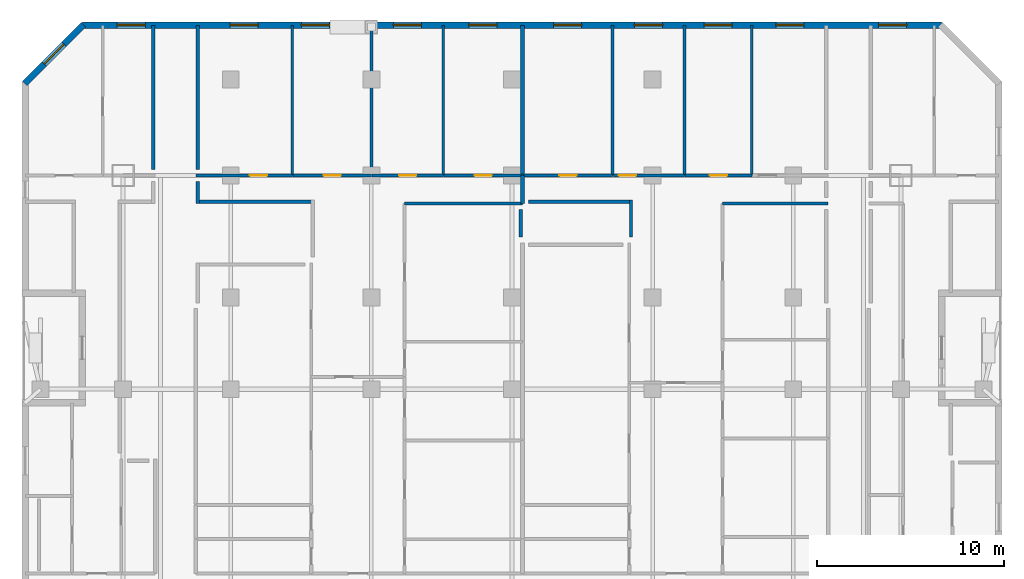
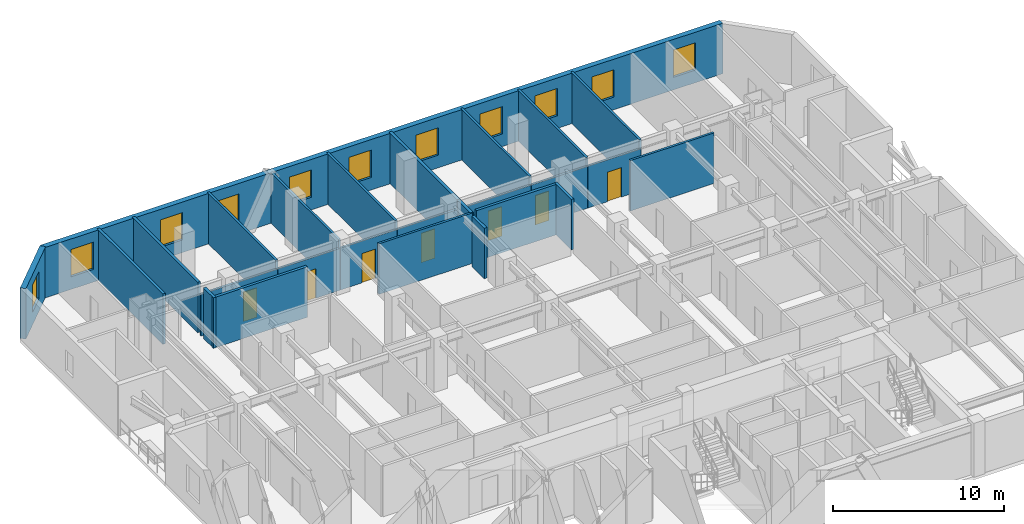
# One storey, part 7 of 10: 26 walls, 11 windows, 7 doors, 18 openings.
"""IFC4 building model written with IfcOpenShell, lengths in metres."""

from ifc_helpers import new_model, si_unit, direction, frame, frame_2d, origin, place, context, subcontext, project, spatial, rectangle, extrude, material, layer, layer_set, type_object, element, fill, save


model = new_model("IFC4")

# Units and contexts
model_context = context("Model", 3, precision=1e-05, world=origin(), true_north=direction((0.0, 1.0)))
body_context = subcontext(model_context, "Body", "Model", "MODEL_VIEW")
ifc_project = project(units=[si_unit("LENGTHUNIT", "METRE"), si_unit("AREAUNIT", "SQUARE_METRE"), si_unit("VOLUMEUNIT", "CUBIC_METRE"), si_unit("PLANEANGLEUNIT", "RADIAN"), si_unit("MASSUNIT", "GRAM", prefix="KILO")], contexts=[model_context])

# Site, building, storey
site_placement = place(None, origin())
site = spatial("IfcSite", under=ifc_project, at=site_placement, CompositionType="ELEMENT")
building_placement = place(site_placement, origin())
building = spatial("IfcBuilding", under=site, at=building_placement, Name="Ventersveld Concourse Tower", CompositionType="ELEMENT")
storey_placement = place(building_placement, frame((0.0, 0.0, 104.14990234375)))
storey = spatial("IfcBuildingStorey", under=building, at=storey_placement, Name="L25", CompositionType="ELEMENT", Elevation=104.14990234375)

# Walls
ifc_material_1 = material(Name="Fire-rated autoclaved aerated masonry blockwork", Category="masonry")
ifc_layer_1 = layer(ifc_material_1, 0.179931640625)
ifc_layer_set_1 = layer_set([ifc_layer_1], Name="Fire-rated autoclaved aerated masonry blockwork")
wall_type_1 = type_object("IfcWallType", Name="WL-CORR-180", PredefinedType="PARTITIONING", material=ifc_layer_set_1)
wall_1_placement = place(storey_placement, frame((9.6201171875, 42.989990234375, 0.0), z_axis=(0.0, 0.0, 1.0), x_axis=(0.0, -1.0, 0.0)))
element("IfcWall", 1, at=wall_1_placement, inside=storey, type_object=wall_type_1, Name="L25 Room Enclosure Wall SP-L25-25NW-BR2", PredefinedType="PARTITIONING", context=body_context, shape_type="SweptSolid", body=[
    extrude(rectangle(XDim=7.6650390625, YDim=0.179931640625, at=frame_2d((3.83251953125, 0.0))), origin(), (0.0, 0.0, 1.0), 3.60009765625),
])
wall_2_placement = place(storey_placement, frame((18.225341796875, 33.590087890625, 0.0), z_axis=(0.0, 0.0, 1.0), x_axis=(-1.0, 0.0, 0.0)))
element("IfcWall", 2, at=wall_2_placement, inside=storey, type_object=wall_type_1, Name="L25 Room Enclosure Wall SP-L25-25N1-LIV", PredefinedType="PARTITIONING", context=body_context, shape_type="SweptSolid", body=[
    extrude(rectangle(XDim=6.34033203125, YDim=0.179931640625, at=frame_2d((3.170166015625, 0.0))), origin(), (0.0, 0.0, 1.0), 3.60009765625),
])
wall_3_placement = place(storey_placement, frame((11.97998046875, 33.4951171875, 0.0), z_axis=(0.0, 0.0, 1.0), x_axis=(0.0, 1.0, 0.0)))
element("IfcWall", 3, at=wall_3_placement, inside=storey, type_object=wall_type_1, Name="L25 Room Enclosure Wall SP-L25-25N1-LIV", PredefinedType="PARTITIONING", context=body_context, shape_type="SweptSolid", body=[
    extrude(rectangle(XDim=1.179931640625, YDim=0.179931640625, at=frame_2d((0.58984375, 0.0))), origin(), (0.0, 0.0, 1.0), 3.60009765625),
])
wall_4_placement = place(storey_placement, frame((29.22412109375, 33.175048828125, 0.0), z_axis=(0.0, 0.0, 1.0), x_axis=(0.0, -1.0, 0.0)))
element("IfcWall", 4, at=wall_4_placement, inside=storey, type_object=wall_type_1, Name="L25 Room Enclosure Wall SP-L25-25N1-DENS2", PredefinedType="PARTITIONING", context=body_context, shape_type="SweptSolid", body=[
    extrude(rectangle(XDim=1.455810546875, YDim=0.179931640625, at=frame_2d((0.72802734375, 0.0))), origin(), (0.0, 0.0, 1.0), 3.60009765625),
])
wall_5_placement = place(storey_placement, frame((11.97998046875, 35.324951171875, 0.0), z_axis=(0.0, 0.0, 1.0), x_axis=(0.0, 1.0, 0.0)))
element("IfcWall", 5, at=wall_5_placement, inside=storey, type_object=wall_type_1, Name="L25 Room Enclosure Wall SP-L25-25N1-BR1", PredefinedType="PARTITIONING", context=body_context, shape_type="SweptSolid", body=[
    extrude(rectangle(XDim=7.6650390625, YDim=0.179931640625, at=frame_2d((3.83251953125, 0.0))), origin(), (0.0, 0.0, 1.0), 3.60009765625),
])
wall_6_placement = place(storey_placement, frame((35.190673828125, 33.590087890625, 0.0), z_axis=(0.0, 0.0, 1.0), x_axis=(-1.0, 0.0, 0.0)))
element("IfcWall", 6, at=wall_6_placement, inside=storey, type_object=wall_type_1, Name="L25 Room Enclosure Wall SP-L25-25N2-LIV", PredefinedType="PARTITIONING", context=body_context, shape_type="SweptSolid", body=[
    extrude(rectangle(XDim=5.551513671875, YDim=0.179931640625, at=frame_2d((2.77587890625, 0.0))), origin(), (0.0, 0.0, 1.0), 3.60009765625),
])
wall_7_placement = place(storey_placement, frame((35.095703125, 31.71923828125, 0.0), z_axis=(0.0, 0.0, 1.0), x_axis=(0.0, 1.0, 0.0)))
element("IfcWall", 7, at=wall_7_placement, inside=storey, type_object=wall_type_1, Name="L25 Room Enclosure Wall SP-L25-25N2-LIV", PredefinedType="PARTITIONING", context=body_context, shape_type="SweptSolid", body=[
    extrude(rectangle(XDim=1.9658203125, YDim=0.179931640625, at=frame_2d((0.98291015625, 0.0))), origin(), (0.0, 0.0, 1.0), 3.60009765625),
])
ifc_layer_2 = layer(ifc_material_1, 0.199951171875)
ifc_layer_set_2 = layer_set([ifc_layer_2], Name="Fire-rated autoclaved aerated masonry blockwork")
wall_type_2 = type_object("IfcWallType", Name="WL-DEMISE-200", PredefinedType="PARTITIONING", material=ifc_layer_set_2)
wall_8_placement = place(storey_placement, frame((29.314208984375, 33.4951171875, 0.0), z_axis=(0.0, 0.0, 1.0), x_axis=(0.0, 1.0, 0.0)))
element("IfcWall", 8, at=wall_8_placement, inside=storey, type_object=wall_type_2, Name="L25 Interior Partition SP-L25-25N1-LIV-SP-L25-25N2-LIV", PredefinedType="PARTITIONING", context=body_context, shape_type="SweptSolid", body=[
    extrude(rectangle(XDim=1.509765625, YDim=0.199951171875, at=frame_2d((0.7548828125, 0.0))), origin(), (0.0, 0.0, 1.0), 3.60009765625),
])
wall_9_placement = place(storey_placement, frame((29.314208984375, 35.034912109375, 0.0), z_axis=(0.0, 0.0, 1.0), x_axis=(0.0, 1.0, 0.0)))
element("IfcWall", 9, at=wall_9_placement, inside=storey, type_object=wall_type_2, Name="L25 Interior Partition SP-L25-25N1-BR4-SP-L25-25N2-BR1", PredefinedType="PARTITIONING", context=body_context, shape_type="SweptSolid", body=[
    extrude(rectangle(XDim=7.955078125, YDim=0.199951171875, at=frame_2d((3.9775390625, 0.0))), origin(), (0.0, 0.0, 1.0), 3.60009765625),
])
ifc_material_2 = material(Name="Autoclaved aerated masonry blockwork", Category="masonry")
ifc_layer_3 = layer(ifc_material_2, 0.14990234375)
ifc_layer_set_3 = layer_set([ifc_layer_3], Name="Autoclaved aerated masonry blockwork")
wall_type_3 = type_object("IfcWallType", Name="WL-INT-150", PredefinedType="PARTITIONING", material=ifc_layer_set_3)
wall_10_placement = place(storey_placement, frame((23.015380859375, 33.5, 0.0), z_axis=(0.0, 0.0, 1.0), x_axis=(1.0, 0.0, 0.0)))
element("IfcWall", 10, at=wall_10_placement, inside=storey, type_object=wall_type_3, Name="L25 Interior Partition SP-L25-25N1-LIV-SP-L25-25N1-DENS2", PredefinedType="PARTITIONING", context=body_context, shape_type="SweptSolid", body=[
    extrude(rectangle(XDim=6.3037109375, YDim=0.14990234375, at=frame_2d((3.15185546875, 0.0))), origin(), (0.0, 0.0, 1.0), 3.60009765625),
])

# Wall, opening, door
wall_11_placement = place(storey_placement, frame((11.885009765625, 35.0, 0.0), z_axis=(0.0, 0.0, 1.0), x_axis=(1.0, 0.0, 0.0)))
wall_11 = element("IfcWall", 11, at=wall_11_placement, inside=storey, type_object=wall_type_3, Name="L25 Interior Partition SP-L25-25N1-LIV-SP-L25-25N1-BR1", PredefinedType="PARTITIONING", context=body_context, shape_type="SweptSolid", body=[
    extrude(rectangle(XDim=5.14892578125, YDim=0.14990234375, at=frame_2d((2.574462890625, 0.0))), origin(), (0.0, 0.0, 1.0), 2.98291015625),
])
opening_1_placement = place(wall_11_placement, frame((2.88671875, 0.0, 0.0)))
opening_1 = element("IfcOpeningElement", 12, at=opening_1_placement, cuts=wall_11, Name="Opening ID1", PredefinedType="OPENING", context=body_context, shape_type="SweptSolid", body=[
    extrude(rectangle(XDim=0.919921875, YDim=2.10009765625, at=frame_2d((0.4599609375, 1.050048828125))), frame((0.0, 0.0849609375, 0.0), z_axis=(0.0, -1.0, 0.0), x_axis=(1.0, 0.0, 0.0)), (0.0, 0.0, 1.0), 0.169921875),
])
ifc_material_3 = material(Name="Solid-core hardwood veneer timber", Category="wood")
door_type = type_object("IfcDoorType", Name="DR-ROOM-092", OperationType="NOTDEFINED", PredefinedType="DOOR", material=ifc_material_3)
door_1_placement = place(opening_1_placement, origin())
door_1 = element("IfcDoor", 13, at=door_1_placement, inside=storey, type_object=door_type, Name="L25 Interior Door SP-L25-25N1-LIV to SP-L25-25N1-BR1 (D-L25-1246)", OperationType="SINGLE_SWING_RIGHT", OverallHeight=2.10009765625, OverallWidth=0.919921875, PredefinedType="DOOR", context=body_context, shape_type="SweptSolid", body=[
    extrude(rectangle(XDim=0.919921875, YDim=2.10009765625, at=frame_2d((0.4599609375, 1.050048828125))), frame((0.0, 0.02490234375, 0.0), z_axis=(0.0, -1.0, 0.0), x_axis=(1.0, 0.0, 0.0)), (0.0, 0.0, 1.0), 0.050048828125),
])
fill(opening_1, door_1)

wall_12_placement = place(storey_placement, frame((17.06396484375, 35.0, 0.0), z_axis=(0.0, 0.0, 1.0), x_axis=(1.0, 0.0, 0.0)))
wall_12 = element("IfcWall", 14, at=wall_12_placement, inside=storey, type_object=wall_type_3, Name="L25 Interior Partition SP-L25-25N1-LIV-SP-L25-25N1-BR2", PredefinedType="PARTITIONING", context=body_context, shape_type="SweptSolid", body=[
    extrude(rectangle(XDim=4.19091796875, YDim=0.14990234375, at=frame_2d((2.095458984375, 0.0))), origin(), (0.0, 0.0, 1.0), 2.98291015625),
])
opening_2_placement = place(wall_12_placement, frame((1.635498046875, 0.0, 0.0)))
opening_2 = element("IfcOpeningElement", 15, at=opening_2_placement, cuts=wall_12, Name="Opening ID1", PredefinedType="OPENING", context=body_context, shape_type="SweptSolid", body=[
    extrude(rectangle(XDim=0.919921875, YDim=2.10009765625, at=frame_2d((0.4599609375, 1.050048828125))), frame((0.0, 0.0849609375, 0.0), z_axis=(0.0, -1.0, 0.0), x_axis=(1.0, 0.0, 0.0)), (0.0, 0.0, 1.0), 0.169921875),
])
door_2_placement = place(opening_2_placement, origin())
door_2 = element("IfcDoor", 16, at=door_2_placement, inside=storey, type_object=door_type, Name="L25 Interior Door SP-L25-25N1-LIV to SP-L25-25N1-BR2 (D-L25-1247)", OperationType="SINGLE_SWING_LEFT", OverallHeight=2.10009765625, OverallWidth=0.919921875, PredefinedType="DOOR", context=body_context, shape_type="SweptSolid", body=[
    extrude(rectangle(XDim=0.919921875, YDim=2.10009765625, at=frame_2d((0.4599609375, 1.050048828125))), frame((0.0, 0.02490234375, 0.0), z_axis=(0.0, -1.0, 0.0), x_axis=(1.0, 0.0, 0.0)), (0.0, 0.0, 1.0), 0.050048828125),
])
fill(opening_2, door_2)

wall_13_placement = place(storey_placement, frame((21.284912109375, 35.0, 0.0), z_axis=(0.0, 0.0, 1.0), x_axis=(1.0, 0.0, 0.0)))
wall_13 = element("IfcWall", 17, at=wall_13_placement, inside=storey, type_object=wall_type_3, Name="L25 Interior Partition SP-L25-25N1-LIV-SP-L25-25N1-BR3", PredefinedType="PARTITIONING", context=body_context, shape_type="SweptSolid", body=[
    extrude(rectangle(XDim=3.80419921875, YDim=0.14990234375, at=frame_2d((1.902099609375, 0.0))), origin(), (0.0, 0.0, 1.0), 2.98291015625),
])
opening_3_placement = place(wall_13_placement, frame((1.44189453125, 0.0, 0.0)))
opening_3 = element("IfcOpeningElement", 18, at=opening_3_placement, cuts=wall_13, Name="Opening ID1", PredefinedType="OPENING", context=body_context, shape_type="SweptSolid", body=[
    extrude(rectangle(XDim=0.919921875, YDim=2.10009765625, at=frame_2d((0.4599609375, 1.050048828125))), frame((0.0, 0.0849609375, 0.0), z_axis=(0.0, -1.0, 0.0), x_axis=(1.0, 0.0, 0.0)), (0.0, 0.0, 1.0), 0.169921875),
])
door_3_placement = place(opening_3_placement, origin())
door_3 = element("IfcDoor", 19, at=door_3_placement, inside=storey, type_object=door_type, Name="L25 Interior Door SP-L25-25N1-LIV to SP-L25-25N1-BR3 (D-L25-1248)", OperationType="SINGLE_SWING_RIGHT", OverallHeight=2.10009765625, OverallWidth=0.919921875, PredefinedType="DOOR", context=body_context, shape_type="SweptSolid", body=[
    extrude(rectangle(XDim=0.919921875, YDim=2.10009765625, at=frame_2d((0.4599609375, 1.050048828125))), frame((0.0, 0.02490234375, 0.0), z_axis=(0.0, -1.0, 0.0), x_axis=(1.0, 0.0, 0.0)), (0.0, 0.0, 1.0), 0.050048828125),
])
fill(opening_3, door_3)

wall_14_placement = place(storey_placement, frame((25.118896484375, 35.0, 0.0), z_axis=(0.0, 0.0, 1.0), x_axis=(1.0, 0.0, 0.0)))
wall_14 = element("IfcWall", 20, at=wall_14_placement, inside=storey, type_object=wall_type_3, Name="L25 Interior Partition SP-L25-25N1-LIV-SP-L25-25N1-BR4", PredefinedType="PARTITIONING", context=body_context, shape_type="SweptSolid", body=[
    extrude(rectangle(XDim=4.2001953125, YDim=0.14990234375, at=frame_2d((2.10009765625, 0.0))), origin(), (0.0, 0.0, 1.0), 2.98291015625),
])
opening_4_placement = place(wall_14_placement, frame((1.639892578125, 0.0, 0.0)))
opening_4 = element("IfcOpeningElement", 21, at=opening_4_placement, cuts=wall_14, Name="Opening ID1", PredefinedType="OPENING", context=body_context, shape_type="SweptSolid", body=[
    extrude(rectangle(XDim=0.919921875, YDim=2.10009765625, at=frame_2d((0.4599609375, 1.050048828125))), frame((0.0, 0.0849609375, 0.0), z_axis=(0.0, -1.0, 0.0), x_axis=(1.0, 0.0, 0.0)), (0.0, 0.0, 1.0), 0.169921875),
])
door_4_placement = place(opening_4_placement, origin())
door_4 = element("IfcDoor", 22, at=door_4_placement, inside=storey, type_object=door_type, Name="L25 Interior Door SP-L25-25N1-LIV to SP-L25-25N1-BR4 (D-L25-1249)", OperationType="SINGLE_SWING_LEFT", OverallHeight=2.10009765625, OverallWidth=0.919921875, PredefinedType="DOOR", context=body_context, shape_type="SweptSolid", body=[
    extrude(rectangle(XDim=0.919921875, YDim=2.10009765625, at=frame_2d((0.4599609375, 1.050048828125))), frame((0.0, 0.02490234375, 0.0), z_axis=(0.0, -1.0, 0.0), x_axis=(1.0, 0.0, 0.0)), (0.0, 0.0, 1.0), 0.050048828125),
])
fill(opening_4, door_4)

# Walls
wall_15_placement = place(storey_placement, frame((17.029052734375, 34.9951171875, 0.0), z_axis=(0.0, 0.0, 1.0), x_axis=(0.0, 1.0, 0.0)))
element("IfcWall", 23, at=wall_15_placement, inside=storey, type_object=wall_type_3, Name="L25 Interior Partition SP-L25-25N1-BR1-SP-L25-25N1-BR2", PredefinedType="PARTITIONING", context=body_context, shape_type="SweptSolid", body=[
    extrude(rectangle(XDim=7.994873046875, YDim=0.14990234375, at=frame_2d((3.99755859375, 0.0))), origin(), (0.0, 0.0, 1.0), 3.60009765625),
])
wall_16_placement = place(storey_placement, frame((21.25, 34.9951171875, 0.0), z_axis=(0.0, 0.0, 1.0), x_axis=(0.0, 1.0, 0.0)))
element("IfcWall", 24, at=wall_16_placement, inside=storey, type_object=wall_type_3, Name="L25 Interior Partition SP-L25-25N1-BR2-SP-L25-25N1-BR3", PredefinedType="PARTITIONING", context=body_context, shape_type="SweptSolid", body=[
    extrude(rectangle(XDim=7.906982421875, YDim=0.14990234375, at=frame_2d((3.95361328125, 0.0))), origin(), (0.0, 0.0, 1.0), 3.60009765625),
])
wall_17_placement = place(storey_placement, frame((25.083984375, 34.9951171875, 0.0), z_axis=(0.0, 0.0, 1.0), x_axis=(0.0, 1.0, 0.0)))
element("IfcWall", 25, at=wall_17_placement, inside=storey, type_object=wall_type_3, Name="L25 Interior Partition SP-L25-25N1-BR3-SP-L25-25N1-BR4", PredefinedType="PARTITIONING", context=body_context, shape_type="SweptSolid", body=[
    extrude(rectangle(XDim=7.994873046875, YDim=0.14990234375, at=frame_2d((3.99755859375, 0.0))), origin(), (0.0, 0.0, 1.0), 3.60009765625),
])
wall_18_placement = place(storey_placement, frame((39.980712890625, 33.5, 0.0), z_axis=(0.0, 0.0, 1.0), x_axis=(1.0, 0.0, 0.0)))
element("IfcWall", 26, at=wall_18_placement, inside=storey, type_object=wall_type_3, Name="L25 Interior Partition SP-L25-25N2-LIV-SP-L25-25N2-DENS2", PredefinedType="PARTITIONING", context=body_context, shape_type="SweptSolid", body=[
    extrude(rectangle(XDim=5.63427734375, YDim=0.14990234375, at=frame_2d((2.817138671875, 0.0))), origin(), (0.0, 0.0, 1.0), 3.60009765625),
])

# Wall, opening, door
wall_19_placement = place(storey_placement, frame((29.34912109375, 35.0, 0.0), z_axis=(0.0, 0.0, 1.0), x_axis=(1.0, 0.0, 0.0)))
wall_19 = element("IfcWall", 27, at=wall_19_placement, inside=storey, type_object=wall_type_3, Name="L25 Interior Partition SP-L25-25N2-LIV-SP-L25-25N2-BR1", PredefinedType="PARTITIONING", context=body_context, shape_type="SweptSolid", body=[
    extrude(rectangle(XDim=4.774169921875, YDim=0.14990234375, at=frame_2d((2.38720703125, 0.0))), origin(), (0.0, 0.0, 1.0), 2.98291015625),
])
opening_5_placement = place(wall_19_placement, frame((1.927001953125, 0.0, 0.0)))
opening_5 = element("IfcOpeningElement", 28, at=opening_5_placement, cuts=wall_19, Name="Opening ID1", PredefinedType="OPENING", context=body_context, shape_type="SweptSolid", body=[
    extrude(rectangle(XDim=0.919921875, YDim=2.10009765625, at=frame_2d((0.4599609375, 1.050048828125))), frame((0.0, 0.0849609375, 0.0), z_axis=(0.0, -1.0, 0.0), x_axis=(1.0, 0.0, 0.0)), (0.0, 0.0, 1.0), 0.169921875),
])
door_5_placement = place(opening_5_placement, origin())
door_5 = element("IfcDoor", 29, at=door_5_placement, inside=storey, type_object=door_type, Name="L25 Interior Door SP-L25-25N2-LIV to SP-L25-25N2-BR1 (D-L25-1260)", OperationType="SINGLE_SWING_RIGHT", OverallHeight=2.10009765625, OverallWidth=0.919921875, PredefinedType="DOOR", context=body_context, shape_type="SweptSolid", body=[
    extrude(rectangle(XDim=0.919921875, YDim=2.10009765625, at=frame_2d((0.4599609375, 1.050048828125))), frame((0.0, 0.02490234375, 0.0), z_axis=(0.0, -1.0, 0.0), x_axis=(1.0, 0.0, 0.0)), (0.0, 0.0, 1.0), 0.050048828125),
])
fill(opening_5, door_5)

wall_20_placement = place(storey_placement, frame((34.1533203125, 35.0, 0.0), z_axis=(0.0, 0.0, 1.0), x_axis=(1.0, 0.0, 0.0)))
wall_20 = element("IfcWall", 30, at=wall_20_placement, inside=storey, type_object=wall_type_3, Name="L25 Interior Partition SP-L25-25N2-LIV-SP-L25-25N2-BR2", PredefinedType="PARTITIONING", context=body_context, shape_type="SweptSolid", body=[
    extrude(rectangle(XDim=3.800537109375, YDim=0.14990234375, at=frame_2d((1.900390625, 0.0))), origin(), (0.0, 0.0, 1.0), 2.98291015625),
])
opening_6_placement = place(wall_20_placement, frame((0.300048828125, 0.0, 0.0)))
opening_6 = element("IfcOpeningElement", 31, at=opening_6_placement, cuts=wall_20, Name="Opening ID1", PredefinedType="OPENING", context=body_context, shape_type="SweptSolid", body=[
    extrude(rectangle(XDim=0.919921875, YDim=2.10009765625, at=frame_2d((0.4599609375, 1.050048828125))), frame((0.0, 0.0849609375, 0.0), z_axis=(0.0, -1.0, 0.0), x_axis=(1.0, 0.0, 0.0)), (0.0, 0.0, 1.0), 0.169921875),
])
door_6_placement = place(opening_6_placement, origin())
door_6 = element("IfcDoor", 32, at=door_6_placement, inside=storey, type_object=door_type, Name="L25 Interior Door SP-L25-25N2-LIV to SP-L25-25N2-BR2 (D-L25-1261)", OperationType="SINGLE_SWING_LEFT", OverallHeight=2.10009765625, OverallWidth=0.919921875, PredefinedType="DOOR", context=body_context, shape_type="SweptSolid", body=[
    extrude(rectangle(XDim=0.919921875, YDim=2.10009765625, at=frame_2d((0.4599609375, 1.050048828125))), frame((0.0, 0.02490234375, 0.0), z_axis=(0.0, -1.0, 0.0), x_axis=(1.0, 0.0, 0.0)), (0.0, 0.0, 1.0), 0.050048828125),
])
fill(opening_6, door_6)

wall_21_placement = place(storey_placement, frame((37.98388671875, 35.0, 0.0), z_axis=(0.0, 0.0, 1.0), x_axis=(1.0, 0.0, 0.0)))
wall_21 = element("IfcWall", 33, at=wall_21_placement, inside=storey, type_object=wall_type_3, Name="L25 Interior Partition SP-L25-25N2-LIV-SP-L25-25N2-BR3", PredefinedType="PARTITIONING", context=body_context, shape_type="SweptSolid", body=[
    extrude(rectangle(XDim=3.55712890625, YDim=0.14990234375, at=frame_2d((1.778564453125, 0.0))), origin(), (0.0, 0.0, 1.0), 2.98291015625),
])
opening_7_placement = place(wall_21_placement, frame((1.318603515625, 0.0, 0.0)))
opening_7 = element("IfcOpeningElement", 34, at=opening_7_placement, cuts=wall_21, Name="Opening ID1", PredefinedType="OPENING", context=body_context, shape_type="SweptSolid", body=[
    extrude(rectangle(XDim=0.919921875, YDim=2.10009765625, at=frame_2d((0.4599609375, 1.050048828125))), frame((0.0, 0.0849609375, 0.0), z_axis=(0.0, -1.0, 0.0), x_axis=(1.0, 0.0, 0.0)), (0.0, 0.0, 1.0), 0.169921875),
])
door_7_placement = place(opening_7_placement, origin())
door_7 = element("IfcDoor", 35, at=door_7_placement, inside=storey, type_object=door_type, Name="L25 Interior Door SP-L25-25N2-LIV to SP-L25-25N2-BR3 (D-L25-1262)", OperationType="SINGLE_SWING_RIGHT", OverallHeight=2.10009765625, OverallWidth=0.919921875, PredefinedType="DOOR", context=body_context, shape_type="SweptSolid", body=[
    extrude(rectangle(XDim=0.919921875, YDim=2.10009765625, at=frame_2d((0.4599609375, 1.050048828125))), frame((0.0, 0.02490234375, 0.0), z_axis=(0.0, -1.0, 0.0), x_axis=(1.0, 0.0, 0.0)), (0.0, 0.0, 1.0), 0.050048828125),
])
fill(opening_7, door_7)

# Walls
for number, where, z_axis, x_axis, name in (
    (36, (34.1181640625, 34.9951171875, 0.0), (0.0, 0.0, 1.0), (0.0, 1.0, 0.0), "L25 Interior Partition SP-L25-25N2-BR1-SP-L25-25N2-BR2"),
    (37, (37.94873046875, 34.9951171875, 0.0), (0.0, 0.0, 1.0), (0.0, 1.0, 0.0), "L25 Interior Partition SP-L25-25N2-BR2-SP-L25-25N2-BR3"),
    (38, (41.535888671875, 34.9951171875, 0.0), (0.0, 0.0, 1.0), (0.0, 1.0, 0.0), "L25 Interior Partition SP-L25-25N2-BR3-SP-L25-25N2-BR4"),
):
    element("IfcWall", number, at=place(storey_placement, frame(where, z_axis=z_axis, x_axis=x_axis)), inside=storey, type_object=wall_type_3, Name=name, PredefinedType="PARTITIONING", context=body_context, shape_type="SweptSolid", body=[
        extrude(rectangle(XDim=7.994873046875, YDim=0.14990234375, at=frame_2d((3.99755859375, 0.0))), origin(), (0.0, 0.0, 1.0), 3.60009765625),
    ])

# Wall, openings, windows
ifc_material_4 = material(Name="Precast concrete C45/55", Category="concrete")
ifc_layer_4 = layer(ifc_material_4, 0.35009765625)
ifc_layer_set_4 = layer_set([ifc_layer_4], Name="Precast concrete C45/55")
wall_type_4 = type_object("IfcWallType", Name="WL-PREC-350", PredefinedType="SOLIDWALL", material=ifc_layer_set_4)
wall_22_placement = place(storey_placement, frame((51.659912109375, 43.02490234375, 0.0), z_axis=(0.0, 0.0, 1.0), x_axis=(-1.0, 0.0, 0.0)))
wall_22 = element("IfcWall", 39, at=wall_22_placement, inside=storey, type_object=wall_type_4, Name="L25 Highveld Precast Facade Wall E09", PredefinedType="SOLIDWALL", context=body_context, shape_type="SweptSolid", body=[
    extrude(rectangle(XDim=45.81982421875, YDim=0.35009765625, at=frame_2d((22.909912109375, 0.0))), origin(), (0.0, 0.0, 1.0), 3.60009765625),
])
opening_8_placement = place(wall_22_placement, frame((42.467529296875, 0.0, 0.89990234375)))
opening_8 = element("IfcOpeningElement", 40, at=opening_8_placement, cuts=wall_22, Name="Opening W1", PredefinedType="OPENING", context=body_context, shape_type="SweptSolid", body=[
    extrude(rectangle(XDim=1.5, YDim=1.949951171875, at=frame_2d((0.75, 0.97509765625))), frame((0.0, 0.18505859375, 0.0), z_axis=(0.0, -1.0, 0.0), x_axis=(1.0, 0.0, 0.0)), (0.0, 0.0, 1.0), 0.3701171875),
])
opening_9_placement = place(wall_22_placement, frame((1.8525390625, 0.0, 0.89990234375)))
opening_9 = element("IfcOpeningElement", 41, at=opening_9_placement, cuts=wall_22, Name="Opening W1", PredefinedType="OPENING", context=body_context, shape_type="SweptSolid", body=[
    extrude(rectangle(XDim=1.5, YDim=1.949951171875, at=frame_2d((0.75, 0.97509765625))), frame((0.0, 0.18505859375, 0.0), z_axis=(0.0, -1.0, 0.0), x_axis=(1.0, 0.0, 0.0)), (0.0, 0.0, 1.0), 0.3701171875),
])
opening_10_placement = place(wall_22_placement, frame((36.450439453125, 0.0, 0.89990234375)))
opening_10 = element("IfcOpeningElement", 42, at=opening_10_placement, cuts=wall_22, Name="Opening W1", PredefinedType="OPENING", context=body_context, shape_type="SweptSolid", body=[
    extrude(rectangle(XDim=1.5, YDim=1.949951171875, at=frame_2d((0.75, 0.97509765625))), frame((0.0, 0.18505859375, 0.0), z_axis=(0.0, -1.0, 0.0), x_axis=(1.0, 0.0, 0.0)), (0.0, 0.0, 1.0), 0.3701171875),
])
opening_11_placement = place(wall_22_placement, frame((32.63916015625, 0.0, 0.89990234375)))
opening_11 = element("IfcOpeningElement", 43, at=opening_11_placement, cuts=wall_22, Name="Opening W1", PredefinedType="OPENING", context=body_context, shape_type="SweptSolid", body=[
    extrude(rectangle(XDim=1.5, YDim=1.949951171875, at=frame_2d((0.75, 0.97509765625))), frame((0.0, 0.18505859375, 0.0), z_axis=(0.0, -1.0, 0.0), x_axis=(1.0, 0.0, 0.0)), (0.0, 0.0, 1.0), 0.3701171875),
])
opening_12_placement = place(wall_22_placement, frame((27.742919921875, 0.0, 0.89990234375)))
opening_12 = element("IfcOpeningElement", 44, at=opening_12_placement, cuts=wall_22, Name="Opening W1", PredefinedType="OPENING", context=body_context, shape_type="SweptSolid", body=[
    extrude(rectangle(XDim=1.5, YDim=1.949951171875, at=frame_2d((0.75, 0.97509765625))), frame((0.0, 0.18505859375, 0.0), z_axis=(0.0, -1.0, 0.0), x_axis=(1.0, 0.0, 0.0)), (0.0, 0.0, 1.0), 0.3701171875),
])
opening_13_placement = place(wall_22_placement, frame((23.7109375, 0.0, 0.89990234375)))
opening_13 = element("IfcOpeningElement", 45, at=opening_13_placement, cuts=wall_22, Name="Opening W1", PredefinedType="OPENING", context=body_context, shape_type="SweptSolid", body=[
    extrude(rectangle(XDim=1.5, YDim=1.949951171875, at=frame_2d((0.75, 0.97509765625))), frame((0.0, 0.18505859375, 0.0), z_axis=(0.0, -1.0, 0.0), x_axis=(1.0, 0.0, 0.0)), (0.0, 0.0, 1.0), 0.3701171875),
])
opening_14_placement = place(wall_22_placement, frame((19.19384765625, 0.0, 0.89990234375)))
opening_14 = element("IfcOpeningElement", 46, at=opening_14_placement, cuts=wall_22, Name="Opening W1", PredefinedType="OPENING", context=body_context, shape_type="SweptSolid", body=[
    extrude(rectangle(XDim=1.5, YDim=1.949951171875, at=frame_2d((0.75, 0.97509765625))), frame((0.0, 0.18505859375, 0.0), z_axis=(0.0, -1.0, 0.0), x_axis=(1.0, 0.0, 0.0)), (0.0, 0.0, 1.0), 0.3701171875),
])
opening_15_placement = place(wall_22_placement, frame((14.87646484375, 0.0, 0.89990234375)))
opening_15 = element("IfcOpeningElement", 47, at=opening_15_placement, cuts=wall_22, Name="Opening W1", PredefinedType="OPENING", context=body_context, shape_type="SweptSolid", body=[
    extrude(rectangle(XDim=1.5, YDim=1.949951171875, at=frame_2d((0.75, 0.97509765625))), frame((0.0, 0.18505859375, 0.0), z_axis=(0.0, -1.0, 0.0), x_axis=(1.0, 0.0, 0.0)), (0.0, 0.0, 1.0), 0.3701171875),
])
opening_16_placement = place(wall_22_placement, frame((11.16748046875, 0.0, 0.89990234375)))
opening_16 = element("IfcOpeningElement", 48, at=opening_16_placement, cuts=wall_22, Name="Opening W1", PredefinedType="OPENING", context=body_context, shape_type="SweptSolid", body=[
    extrude(rectangle(XDim=1.5, YDim=1.949951171875, at=frame_2d((0.75, 0.97509765625))), frame((0.0, 0.18505859375, 0.0), z_axis=(0.0, -1.0, 0.0), x_axis=(1.0, 0.0, 0.0)), (0.0, 0.0, 1.0), 0.3701171875),
])
opening_17_placement = place(wall_22_placement, frame((7.3369140625, 0.0, 0.89990234375)))
opening_17 = element("IfcOpeningElement", 49, at=opening_17_placement, cuts=wall_22, Name="Opening W1", PredefinedType="OPENING", context=body_context, shape_type="SweptSolid", body=[
    extrude(rectangle(XDim=1.5, YDim=1.949951171875, at=frame_2d((0.75, 0.97509765625))), frame((0.0, 0.18505859375, 0.0), z_axis=(0.0, -1.0, 0.0), x_axis=(1.0, 0.0, 0.0)), (0.0, 0.0, 1.0), 0.3701171875),
])
ifc_material_5 = material(Name="Tempered acoustic Low-E IGU", Category="glass")
window_type = type_object("IfcWindowType", Name="WIN-150x210", PartitioningType="SINGLE_PANEL", PredefinedType="WINDOW", material=ifc_material_5)
window_1_placement = place(opening_8_placement, origin())
window_1 = element("IfcWindow", 50, at=window_1_placement, inside=storey, type_object=window_type, Name="L25 Punched Low-E Window W-0292", OverallHeight=1.949951171875, OverallWidth=1.5, PartitioningType="SINGLE_PANEL", PredefinedType="WINDOW", context=body_context, shape_type="SweptSolid", body=[
    extrude(rectangle(XDim=1.5, YDim=1.949951171875, at=frame_2d((0.75, 0.97509765625))), frame((0.0, 0.030029296875, 0.0), z_axis=(0.0, -1.0, 0.0), x_axis=(1.0, 0.0, 0.0)), (0.0, 0.0, 1.0), 0.06005859375),
])
fill(opening_8, window_1)
window_2_placement = place(opening_9_placement, origin())
window_2 = element("IfcWindow", 51, at=window_2_placement, inside=storey, type_object=window_type, Name="L25 Punched Low-E Window W-0295", OverallHeight=1.949951171875, OverallWidth=1.5, PartitioningType="SINGLE_PANEL", PredefinedType="WINDOW", context=body_context, shape_type="SweptSolid", body=[
    extrude(rectangle(XDim=1.5, YDim=1.949951171875, at=frame_2d((0.75, 0.97509765625))), frame((0.0, 0.030029296875, 0.0), z_axis=(0.0, -1.0, 0.0), x_axis=(1.0, 0.0, 0.0)), (0.0, 0.0, 1.0), 0.06005859375),
])
fill(opening_9, window_2)
window_3_placement = place(opening_10_placement, origin())
window_3 = element("IfcWindow", 52, at=window_3_placement, inside=storey, type_object=window_type, Name="L25 Punched Low-E Window W-0297", OverallHeight=1.949951171875, OverallWidth=1.5, PartitioningType="SINGLE_PANEL", PredefinedType="WINDOW", context=body_context, shape_type="SweptSolid", body=[
    extrude(rectangle(XDim=1.5, YDim=1.949951171875, at=frame_2d((0.75, 0.97509765625))), frame((0.0, 0.030029296875, 0.0), z_axis=(0.0, -1.0, 0.0), x_axis=(1.0, 0.0, 0.0)), (0.0, 0.0, 1.0), 0.06005859375),
])
fill(opening_10, window_3)
window_4_placement = place(opening_11_placement, origin())
window_4 = element("IfcWindow", 53, at=window_4_placement, inside=storey, type_object=window_type, Name="L25 Punched Low-E Window W-0298", OverallHeight=1.949951171875, OverallWidth=1.5, PartitioningType="SINGLE_PANEL", PredefinedType="WINDOW", context=body_context, shape_type="SweptSolid", body=[
    extrude(rectangle(XDim=1.5, YDim=1.949951171875, at=frame_2d((0.75, 0.97509765625))), frame((0.0, 0.030029296875, 0.0), z_axis=(0.0, -1.0, 0.0), x_axis=(1.0, 0.0, 0.0)), (0.0, 0.0, 1.0), 0.06005859375),
])
fill(opening_11, window_4)
window_5_placement = place(opening_12_placement, origin())
window_5 = element("IfcWindow", 54, at=window_5_placement, inside=storey, type_object=window_type, Name="L25 Punched Low-E Window W-0299", OverallHeight=1.949951171875, OverallWidth=1.5, PartitioningType="SINGLE_PANEL", PredefinedType="WINDOW", context=body_context, shape_type="SweptSolid", body=[
    extrude(rectangle(XDim=1.5, YDim=1.949951171875, at=frame_2d((0.75, 0.97509765625))), frame((0.0, 0.030029296875, 0.0), z_axis=(0.0, -1.0, 0.0), x_axis=(1.0, 0.0, 0.0)), (0.0, 0.0, 1.0), 0.06005859375),
])
fill(opening_12, window_5)
window_6_placement = place(opening_13_placement, origin())
window_6 = element("IfcWindow", 55, at=window_6_placement, inside=storey, type_object=window_type, Name="L25 Punched Low-E Window W-0300", OverallHeight=1.949951171875, OverallWidth=1.5, PartitioningType="SINGLE_PANEL", PredefinedType="WINDOW", context=body_context, shape_type="SweptSolid", body=[
    extrude(rectangle(XDim=1.5, YDim=1.949951171875, at=frame_2d((0.75, 0.97509765625))), frame((0.0, 0.030029296875, 0.0), z_axis=(0.0, -1.0, 0.0), x_axis=(1.0, 0.0, 0.0)), (0.0, 0.0, 1.0), 0.06005859375),
])
fill(opening_13, window_6)
window_7_placement = place(opening_14_placement, origin())
window_7 = element("IfcWindow", 56, at=window_7_placement, inside=storey, type_object=window_type, Name="L25 Punched Low-E Window W-0301", OverallHeight=1.949951171875, OverallWidth=1.5, PartitioningType="SINGLE_PANEL", PredefinedType="WINDOW", context=body_context, shape_type="SweptSolid", body=[
    extrude(rectangle(XDim=1.5, YDim=1.949951171875, at=frame_2d((0.75, 0.97509765625))), frame((0.0, 0.030029296875, 0.0), z_axis=(0.0, -1.0, 0.0), x_axis=(1.0, 0.0, 0.0)), (0.0, 0.0, 1.0), 0.06005859375),
])
fill(opening_14, window_7)
window_8_placement = place(opening_15_placement, origin())
window_8 = element("IfcWindow", 57, at=window_8_placement, inside=storey, type_object=window_type, Name="L25 Punched Low-E Window W-0302", OverallHeight=1.949951171875, OverallWidth=1.5, PartitioningType="SINGLE_PANEL", PredefinedType="WINDOW", context=body_context, shape_type="SweptSolid", body=[
    extrude(rectangle(XDim=1.5, YDim=1.949951171875, at=frame_2d((0.75, 0.97509765625))), frame((0.0, 0.030029296875, 0.0), z_axis=(0.0, -1.0, 0.0), x_axis=(1.0, 0.0, 0.0)), (0.0, 0.0, 1.0), 0.06005859375),
])
fill(opening_15, window_8)
window_9_placement = place(opening_16_placement, origin())
window_9 = element("IfcWindow", 58, at=window_9_placement, inside=storey, type_object=window_type, Name="L25 Punched Low-E Window W-0303", OverallHeight=1.949951171875, OverallWidth=1.5, PartitioningType="SINGLE_PANEL", PredefinedType="WINDOW", context=body_context, shape_type="SweptSolid", body=[
    extrude(rectangle(XDim=1.5, YDim=1.949951171875, at=frame_2d((0.75, 0.97509765625))), frame((0.0, 0.030029296875, 0.0), z_axis=(0.0, -1.0, 0.0), x_axis=(1.0, 0.0, 0.0)), (0.0, 0.0, 1.0), 0.06005859375),
])
fill(opening_16, window_9)
window_10_placement = place(opening_17_placement, origin())
window_10 = element("IfcWindow", 59, at=window_10_placement, inside=storey, type_object=window_type, Name="L25 Punched Low-E Window W-0304", OverallHeight=1.949951171875, OverallWidth=1.5, PartitioningType="SINGLE_PANEL", PredefinedType="WINDOW", context=body_context, shape_type="SweptSolid", body=[
    extrude(rectangle(XDim=1.5, YDim=1.949951171875, at=frame_2d((0.75, 0.97509765625))), frame((0.0, 0.030029296875, 0.0), z_axis=(0.0, -1.0, 0.0), x_axis=(1.0, 0.0, 0.0)), (0.0, 0.0, 1.0), 0.06005859375),
])
fill(opening_17, window_10)

# Wall, opening, window
wall_23_placement = place(storey_placement, frame((5.8955078125, 43.048095703125, 0.0), z_axis=(0.0, 0.0, 1.0), x_axis=(-0.707106781187, -0.707106781187, 0.0)))
wall_23 = element("IfcWall", 60, at=wall_23_placement, inside=storey, type_object=wall_type_4, Name="L25 Highveld Precast Facade Wall E10", PredefinedType="SOLIDWALL", context=body_context, shape_type="SweptSolid", body=[
    extrude(rectangle(XDim=4.445556640625, YDim=0.35009765625, at=frame_2d((2.22265625, 0.0))), origin(), (0.0, 0.0, 1.0), 3.60009765625),
])
opening_18_placement = place(wall_23_placement, frame((1.47265625, 0.0, 0.89990234375)))
opening_18 = element("IfcOpeningElement", 61, at=opening_18_placement, cuts=wall_23, Name="Opening W1", PredefinedType="OPENING", context=body_context, shape_type="SweptSolid", body=[
    extrude(rectangle(XDim=1.5, YDim=1.949951171875, at=frame_2d((0.75, 0.97509765625))), frame((0.0, 0.18505859375, 0.0), z_axis=(0.0, -1.0, 0.0), x_axis=(1.0, 0.0, 0.0)), (0.0, 0.0, 1.0), 0.3701171875),
])
window_11_placement = place(opening_18_placement, origin())
window_11 = element("IfcWindow", 62, at=window_11_placement, inside=storey, type_object=window_type, Name="L25 Punched Low-E Window W-0291", OverallHeight=1.949951171875, OverallWidth=1.5, PartitioningType="SINGLE_PANEL", PredefinedType="WINDOW", context=body_context, shape_type="SweptSolid", body=[
    extrude(rectangle(XDim=1.5, YDim=1.949951171875, at=frame_2d((0.75, 0.97509765625))), frame((0.0, 0.030029296875, 0.0), z_axis=(0.0, -1.0, 0.0), x_axis=(1.0, 0.0, 0.0)), (0.0, 0.0, 1.0), 0.06005859375),
])
fill(opening_18, window_11)

save(model, "model.ifc")
